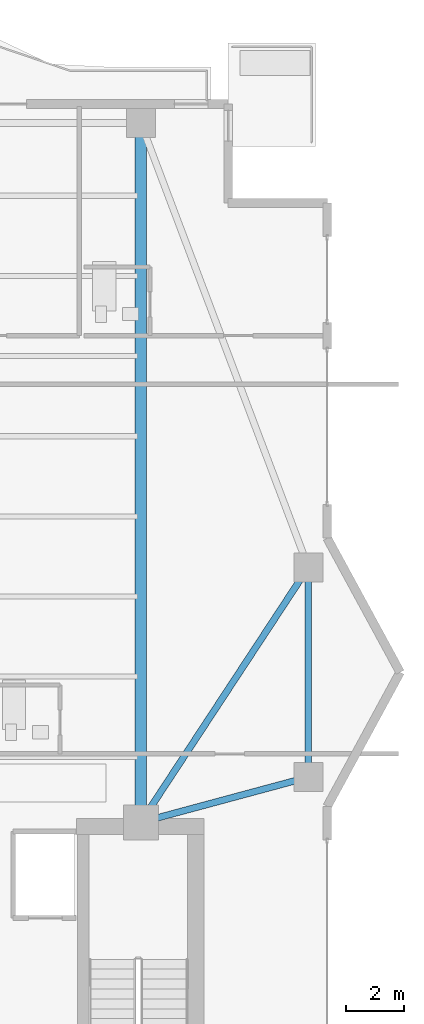
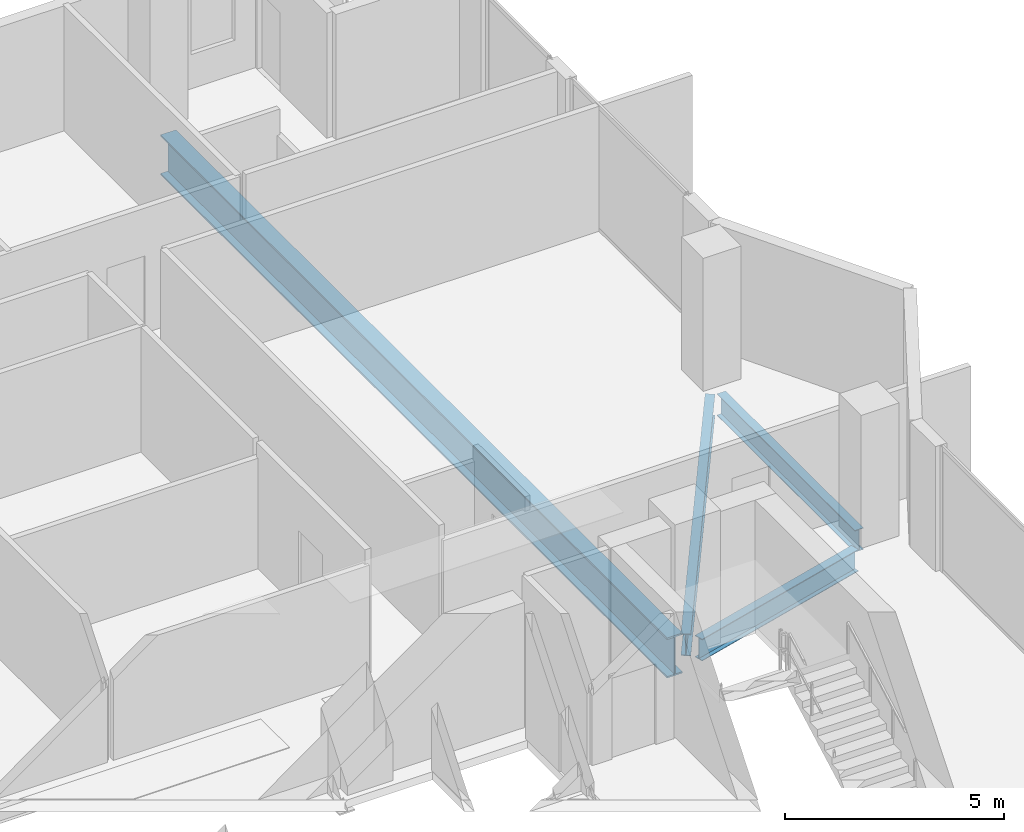
# One storey, part 9 of 23: 4 beams.
"""IFC4 building model written with IfcOpenShell, lengths in metres."""

from ifc_helpers import new_model, si_unit, direction, frame, origin, origin_2d, place, context, subcontext, project, spatial, i_section, extrude, material, material_profile, profile_set, type_object, element, save


model = new_model("IFC4")

# Units and contexts
model_context = context("Model", 3, precision=1e-05, world=origin(), true_north=direction((0.0, 1.0)))
body_context = subcontext(model_context, "Body", "Model", "MODEL_VIEW")
ifc_project = project(units=[si_unit("LENGTHUNIT", "METRE"), si_unit("AREAUNIT", "SQUARE_METRE"), si_unit("VOLUMEUNIT", "CUBIC_METRE"), si_unit("PLANEANGLEUNIT", "RADIAN"), si_unit("MASSUNIT", "GRAM", prefix="KILO")], contexts=[model_context])

# Site, building, storey
site_placement = place(None, origin())
site = spatial("IfcSite", under=ifc_project, at=site_placement, CompositionType="ELEMENT")
building_placement = place(site_placement, origin())
building = spatial("IfcBuilding", under=site, at=building_placement, Name="Zuhayl Quay Hotel", CompositionType="ELEMENT")
storey_placement = place(building_placement, frame((0.0, 0.0, 265.550048828125)))
storey = spatial("IfcBuildingStorey", under=building, at=storey_placement, Name="L67", CompositionType="ELEMENT", Elevation=265.550048828125)

# Beams
ifc_material_1 = material(Name="Steel ASTM A992 Grade 50", Category="steel")
ifc_material_profile_1 = material_profile(ifc_material_1, i_section(OverallWidth=0.22802734375, OverallDepth=0.60693359375, WebThickness=0.01123046875, FlangeThickness=0.017333984375, at=origin_2d()), Name="W24X76")
ifc_profile_set_1 = profile_set([ifc_material_profile_1], Name="Steel ASTM A992 Grade 50")
beam_type_1 = type_object("IfcBeamType", Name="BM_B3_W24X76", PredefinedType="BEAM", material=ifc_profile_set_1)
beam_1_placement = place(storey_placement, frame((19.550048828125, 16.360107421875, -0.5234375), z_axis=(0.0, 1.0, 0.0), x_axis=(-1.0, 0.0, 0.0)))
element("IfcBeam", 1, at=beam_1_placement, inside=storey, type_object=beam_type_1, Name="L67 Floor Beam RG_L67_05", PredefinedType="BEAM", context=body_context, shape_type="SweptSolid", body=[
    extrude(i_section(OverallWidth=0.22802734375, OverallDepth=0.60693359375, WebThickness=0.01123046875, FlangeThickness=0.017333984375, at=origin_2d()), origin(), (0.0, 0.0, 1.0), 6.27978515625),
])
beam_2_placement = place(storey_placement, frame((14.234619140625, 14.467041015625, -0.5234375), z_axis=(0.965530205773, 0.26029103277, 0.0), x_axis=(-0.26029103277, 0.965530205773, 0.0)))
element("IfcBeam", 2, at=beam_2_placement, inside=storey, type_object=beam_type_1, Name="L67 Floor Beam FG_E_L67_1", PredefinedType="BEAM", context=body_context, shape_type="SweptSolid", body=[
    extrude(i_section(OverallWidth=0.22802734375, OverallDepth=0.60693359375, WebThickness=0.01123046875, FlangeThickness=0.017333984375, at=origin_2d()), origin(), (0.0, 0.0, 1.0), 5.045166015625),
])
beam_3_placement = place(storey_placement, frame((14.047119140625, 14.72607421875, -0.5234375), z_axis=(0.549177886661, 0.835705479701, 0.0), x_axis=(-0.835705479701, 0.549177886661, 0.0)))
element("IfcBeam", 3, at=beam_3_placement, inside=storey, type_object=beam_type_1, Name="L67 Floor Beam FG_E_L67_2", PredefinedType="BEAM", context=body_context, shape_type="SweptSolid", body=[
    extrude(i_section(OverallWidth=0.22802734375, OverallDepth=0.60693359375, WebThickness=0.01123046875, FlangeThickness=0.017333984375, at=origin_2d()), origin(), (0.0, 0.0, 1.0), 9.560302734375),
])
ifc_material_2 = material(Name="Steel ASTM A913 Grade 65", Category="steel")
ifc_material_profile_2 = material_profile(ifc_material_2, i_section(OverallWidth=0.404052734375, OverallDepth=1.117919921875, WebThickness=0.026123046875, FlangeThickness=0.044921875, at=origin_2d()), Name="W44X335")
ifc_profile_set_2 = profile_set([ifc_material_profile_2], Name="Steel ASTM A913 Grade 65")
beam_type_2 = type_object("IfcBeamType", Name="BM_TG1_W44X335", PredefinedType="BEAM", material=ifc_profile_set_2)
beam_4_placement = place(storey_placement, frame((13.800048828125, 14.800048828125, -0.779052734375), z_axis=(0.0, 1.0, 0.0), x_axis=(-1.0, 0.0, 0.0)))
element("IfcBeam", 4, at=beam_4_placement, inside=storey, type_object=beam_type_2, Name="L67 Floor Beam FG_N_L67_4", PredefinedType="BEAM", context=body_context, shape_type="SweptSolid", body=[
    extrude(i_section(OverallWidth=0.404052734375, OverallDepth=1.117919921875, WebThickness=0.026123046875, FlangeThickness=0.044921875, at=origin_2d()), origin(), (0.0, 0.0, 1.0), 23.08984375),
])

save(model, "model.ifc")
